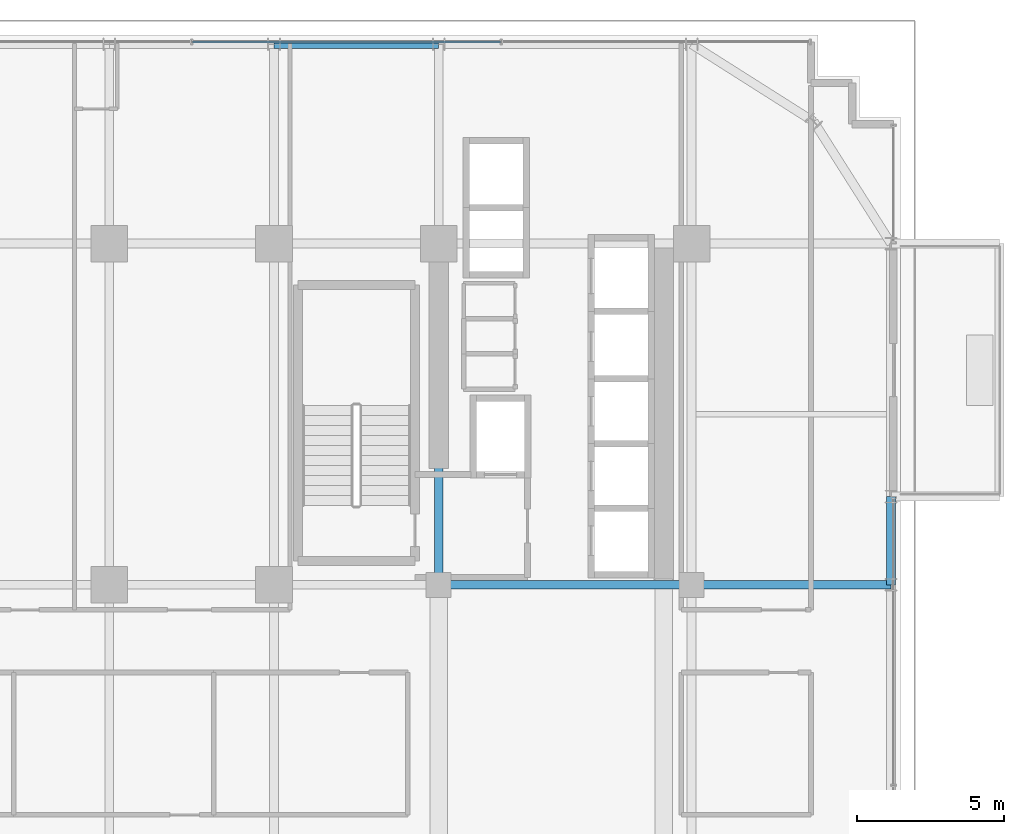
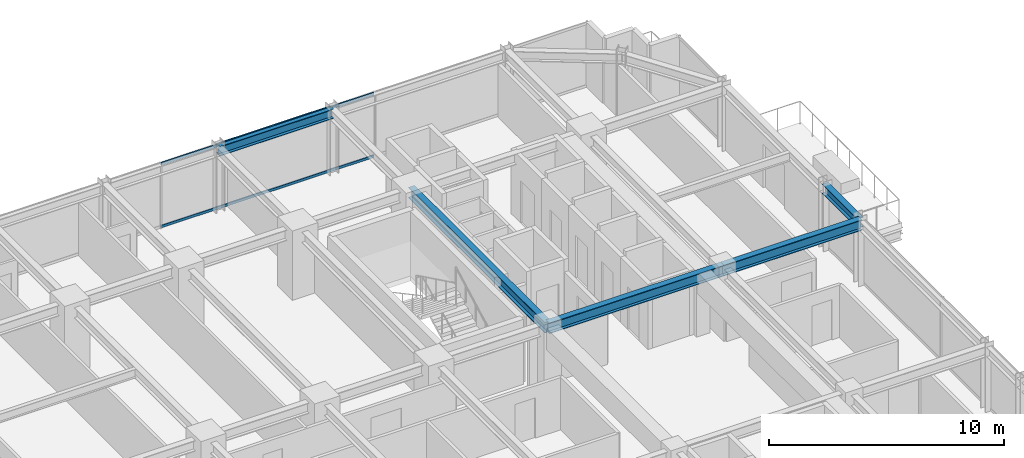
# One storey, part 21 of 34: 5 beams, 2 members, 1 element without a shape of its own.
"""IFC4 building model written with IfcOpenShell, lengths in metres."""

import ifcopenshell
import ifcopenshell.guid

model = None  # the IFC model being written
_history = None  # IfcOwnerHistory: only IFC2X3 demands one
_inside = {}  # id of a spatial element -> (the spatial element, [elements in it])
_under = {}  # id of a project, library or spatial element -> (it, [spatial elements below it])
_declared = {}  # id of a project -> (the project, [libraries it declares])
_typed = {}  # id of a type object -> (the type object, [elements of that type])
_made_of = {}  # id of a material, layer set ... -> (it, [elements and type objects made of it])


def new_model(schema):
    """Start an empty IFC model of exactly this schema.

    Asked for "IFC4X3", IfcOpenShell would pick the latest addendum, in which some entities
    have other attributes; the version numbers below select the first issue.
    IFC2X3 requires an IfcOwnerHistory on every rooted entity: one is made here for all.
    """
    global model, _history
    if schema == "IFC4X3":
        model = ifcopenshell.file(schema_version=(4, 3, 0, 0))
    else:
        model = ifcopenshell.file(schema=schema)
    _inside.clear()
    _under.clear()
    _declared.clear()
    _typed.clear()
    _made_of.clear()
    _history = None
    if model.schema == "IFC2X3":
        org = make("IfcOrganization", Name="unknown")
        user = make(
            "IfcPersonAndOrganization",
            ThePerson=make("IfcPerson", FamilyName="unknown"),
            TheOrganization=org,
        )
        app = make(
            "IfcApplication",
            ApplicationDeveloper=org,
            Version="unknown",
            ApplicationFullName="unknown",
            ApplicationIdentifier="unknown",
        )
        _history = make(
            "IfcOwnerHistory",
            OwningUser=user,
            OwningApplication=app,
            ChangeAction="ADDED",
            CreationDate=0,
        )
    return model


def make(cls, **values):
    """One entity of the class cls with the attributes given. An attribute that is None is left unset."""
    return model.create_entity(
        cls, **{name: value for name, value in values.items() if value is not None}
    )


def rooted(cls, **values):
    """An entity with a GlobalId (a new one), such as an element, a storey or a relation."""
    return make(cls, GlobalId=ifcopenshell.guid.new(), OwnerHistory=_history, **values)


def si_unit(unit_type, name, prefix=None):
    """IfcSIUnit, for example si_unit("LENGTHUNIT", "METRE", prefix="MILLI")."""
    return make("IfcSIUnit", UnitType=unit_type, Prefix=prefix, Name=name)


def assignment(units):
    """IfcUnitAssignment: the units of a project."""
    return None if units is None else make("IfcUnitAssignment", Units=units)


def point(xyz):
    """IfcCartesianPoint."""
    return None if xyz is None else make("IfcCartesianPoint", Coordinates=xyz)


def direction(xyz):
    """IfcDirection."""
    return None if xyz is None else make("IfcDirection", DirectionRatios=xyz)


def frame(location, z_axis=None, x_axis=None):
    """IfcAxis2Placement3D, a coordinate frame: its origin and axes. An axis left out is left unset."""
    return make(
        "IfcAxis2Placement3D",
        Location=point(location),
        Axis=direction(z_axis),
        RefDirection=direction(x_axis),
    )


def frame_2d(location, x_axis=None):
    """IfcAxis2Placement2D, a coordinate frame in the plane: its origin and x axis."""
    return make(
        "IfcAxis2Placement2D", Location=point(location), RefDirection=direction(x_axis)
    )


def origin():
    """The frame at (0, 0, 0) with its axes left unset."""
    return frame((0.0, 0.0, 0.0))


def origin_2d():
    """The frame at (0, 0) in the plane with its x axis left unset."""
    return frame_2d((0.0, 0.0))


def place(relative_to, where):
    """IfcLocalPlacement: puts the frame where relative to a parent placement (None: the world)."""
    return make(
        "IfcLocalPlacement", PlacementRelTo=relative_to, RelativePlacement=where
    )


def context(
    kind, dimensions, precision=None, world=None, true_north=None, identifier=None
):
    """IfcGeometricRepresentationContext, for example the 3D "Model" context."""
    return make(
        "IfcGeometricRepresentationContext",
        ContextIdentifier=identifier,
        ContextType=kind,
        CoordinateSpaceDimension=dimensions,
        Precision=precision,
        WorldCoordinateSystem=world,
        TrueNorth=true_north,
    )


def subcontext(parent, identifier, kind, view, scale=None):
    """IfcGeometricRepresentationSubContext, for example "Body" below "Model"."""
    return make(
        "IfcGeometricRepresentationSubContext",
        ContextIdentifier=identifier,
        ContextType=kind,
        ParentContext=parent,
        TargetScale=scale,
        TargetView=view,
    )


def project(units=None, contexts=None):
    """IfcProject with its units and contexts."""
    return rooted(
        "IfcProject",
        Name="project",
        RepresentationContexts=contexts,
        UnitsInContext=assignment(units),
    )


def spatial(cls, under=None, at=None, **own):
    """A site, building, storey or space (cls), placed at a placement, below another one or the project."""
    s = rooted(cls, ObjectPlacement=at, **own)
    if under is not None:
        _under.setdefault(under.id(), (under, []))[1].append(s)
    return s


def profile(cls, at=None, kind="AREA", **sizes):
    """A parametric profile (cls). Its sizes go by their IFC names, for example OverallWidth=200.0."""
    return make(cls, ProfileType=kind, Position=at, **sizes)


def hollow_rectangle(**sizes):
    """IfcRectangleHollowProfileDef."""
    return profile("IfcRectangleHollowProfileDef", **sizes)


def i_section(**sizes):
    """IfcIShapeProfileDef."""
    return profile("IfcIShapeProfileDef", **sizes)


def extrude(swept, where, along, depth):
    """IfcExtrudedAreaSolid: the profile swept, set in the frame where, extruded along a direction by depth."""
    return make(
        "IfcExtrudedAreaSolid",
        SweptArea=swept,
        Position=where,
        ExtrudedDirection=direction(along),
        Depth=depth,
    )


def shape(context_of_items, identifier, shape_type, items):
    """IfcShapeRepresentation: the items that make up one representation, for example the "Body"."""
    return make(
        "IfcShapeRepresentation",
        ContextOfItems=context_of_items,
        RepresentationIdentifier=identifier,
        RepresentationType=shape_type,
        Items=items,
    )


def source(mapping_origin, context_of_items, identifier, shape_type, items):
    """IfcRepresentationMap: a shape defined once, which mapped items show again and again."""
    return make(
        "IfcRepresentationMap",
        MappingOrigin=mapping_origin,
        MappedRepresentation=shape(context_of_items, identifier, shape_type, items),
    )


def transform(
    local_origin,
    x_axis=None,
    y_axis=None,
    z_axis=None,
    scale=None,
    scale2=None,
    scale3=None,
    uniform=True,
):
    """IfcCartesianTransformationOperator3D, or its non-uniform kind. x_axis, y_axis, z_axis: its Axis1, 2, 3."""
    if uniform:
        return make(
            "IfcCartesianTransformationOperator3D",
            Axis1=direction(x_axis),
            Axis2=direction(y_axis),
            LocalOrigin=point(local_origin),
            Scale=scale,
            Axis3=direction(z_axis),
        )
    return make(
        "IfcCartesianTransformationOperator3DnonUniform",
        Axis1=direction(x_axis),
        Axis2=direction(y_axis),
        LocalOrigin=point(local_origin),
        Scale=scale,
        Axis3=direction(z_axis),
        Scale2=scale2,
        Scale3=scale3,
    )


def mapped(mapping_source, mapping_target):
    """IfcMappedItem: shows the shape of a source again, moved by a transform."""
    return make(
        "IfcMappedItem", MappingSource=mapping_source, MappingTarget=mapping_target
    )


def material(Name=None, Category=None):
    """IfcMaterial."""
    return make("IfcMaterial", Name=Name, Category=Category)


def material_profile(
    of_material, cross_section, Name=None, Category=None, Priority=None
):
    """IfcMaterialProfile: a cross section and its material."""
    return make(
        "IfcMaterialProfile",
        Name=Name,
        Material=of_material,
        Profile=cross_section,
        Priority=Priority,
        Category=Category,
    )


def profile_set(profiles, Name=None, composite=None):
    """IfcMaterialProfileSet."""
    return make(
        "IfcMaterialProfileSet",
        Name=Name,
        MaterialProfiles=profiles,
        CompositeProfile=composite,
    )


def made_of(thing, what):
    """Note that an element or type object is made of a material, layer set ...; save() writes the relation."""
    if what is not None:
        _made_of.setdefault(what.id(), (what, []))[1].append(thing)
    return thing


def type_object(cls, material=None, **own):
    """A type object (cls), such as IfcWallType, which elements share."""
    return made_of(rooted(cls, **own), material)


def element(
    cls,
    number,
    at=None,
    inside=None,
    cuts=None,
    type_object=None,
    material=None,
    context=None,
    identifier="Body",
    shape_type=None,
    held_by="IfcProductDefinitionShape",
    body=None,
    shapes=None,
    **own,
):
    """One element of the class cls, such as IfcWall. Its Tag is "e" and its number.

    at: its placement. inside: the storey or other place that contains it. cuts: it is an
    opening in that element (IfcRelVoidsElement). A single representation is given by context,
    identifier, shape_type and body (its items); several are given by shapes. held_by: the class
    of the entity that holds the representations. save() writes the other relations.
    """
    e = rooted(cls, Tag="e%d" % number, ObjectPlacement=at, **own)
    if body is not None:
        shapes = [shape(context, identifier, shape_type, body)]
    if shapes is not None:
        e.Representation = make(held_by, Representations=shapes)
    if inside is not None:
        _inside.setdefault(inside.id(), (inside, []))[1].append(e)
    if cuts is not None:
        rooted(
            "IfcRelVoidsElement", RelatingBuildingElement=cuts, RelatedOpeningElement=e
        )
    if type_object is not None:
        _typed.setdefault(type_object.id(), (type_object, []))[1].append(e)
    return made_of(e, material)


def aggregate(whole, parts):
    """IfcRelAggregates: a whole, such as a stair, and the parts it consists of."""
    return rooted("IfcRelAggregates", RelatingObject=whole, RelatedObjects=parts)


def save(model, path):
    """Write the relations noted so far, then the file.

    IfcRelAggregates (storeys below a building ...), IfcRelContainedInSpatialStructure (elements
    in a storey), IfcRelDefinesByType, IfcRelAssociatesMaterial and IfcRelDeclares: one each for
    every whole, place, type object, material and project.
    """
    for whole, parts in _under.values():
        aggregate(whole, parts)
    for where, things in _inside.values():
        rooted(
            "IfcRelContainedInSpatialStructure",
            RelatedElements=things,
            RelatingStructure=where,
        )
    for kind, things in _typed.values():
        rooted("IfcRelDefinesByType", RelatedObjects=things, RelatingType=kind)
    for what, things in _made_of.values():
        rooted("IfcRelAssociatesMaterial", RelatedObjects=things, RelatingMaterial=what)
    for by, libraries in _declared.values():
        rooted("IfcRelDeclares", RelatingContext=by, RelatedDefinitions=libraries)
    model.write(path)


model = new_model("IFC4")

# Units and contexts
model_context = context("Model", 3, precision=1e-05, world=origin(), true_north=direction((0.0, 1.0)))
body_context = subcontext(model_context, "Body", "Model", "MODEL_VIEW")
ifc_project = project(units=[si_unit("LENGTHUNIT", "METRE"), si_unit("AREAUNIT", "SQUARE_METRE"), si_unit("VOLUMEUNIT", "CUBIC_METRE"), si_unit("PLANEANGLEUNIT", "RADIAN"), si_unit("MASSUNIT", "GRAM", prefix="KILO")], contexts=[model_context])

# Site, building, storey
site_placement = place(None, origin())
site = spatial("IfcSite", under=ifc_project, at=site_placement, CompositionType="ELEMENT")
building_placement = place(site_placement, origin())
building = spatial("IfcBuilding", under=site, at=building_placement, Name="Nahalor Promenade Grand Hotel", CompositionType="ELEMENT")
storey_placement = place(building_placement, frame((0.0, 0.0, 88.300048828125)))
storey = spatial("IfcBuildingStorey", under=building, at=storey_placement, Name="L21", CompositionType="ELEMENT", Elevation=88.300048828125)

# Beams
ifc_material_1 = material(Name="Steel S355JR", Category="steel")
ifc_material_profile_1 = material_profile(ifc_material_1, i_section(OverallWidth=0.3, OverallDepth=0.5, WebThickness=0.0145, FlangeThickness=0.028, at=origin_2d()), Name="HEB 500")
ifc_profile_set_1 = profile_set([ifc_material_profile_1], Name="Steel S355JR")
beam_type_1 = type_object("IfcBeamType", Name="Beam-Spandrel-HEB500", PredefinedType="SPANDREL", material=ifc_profile_set_1)
shared_shape_1 = source(origin(), body_context, "Body", "SweptSolid", [
    extrude(i_section(OverallWidth=0.3, OverallDepth=0.5, WebThickness=0.0145, FlangeThickness=0.028, at=origin_2d()), origin(), (0.0, 0.0, 1.0), 5.599853515625),
])
beam_1_placement = place(storey_placement, frame((2.800048828125, 23.780029296875, 3.1298828125), z_axis=(1.0, 0.0, 0.0), x_axis=(0.0, 1.0, 0.0)))
element("IfcBeam", 1, at=beam_1_placement, inside=storey, type_object=beam_type_1, Name="BM-L21-SP-N-3", PredefinedType="SPANDREL", context=body_context, shape_type="MappedRepresentation", body=[
    mapped(shared_shape_1, transform((0.0, 0.0, 0.0), scale=1.0)),
])
shared_shape_2 = source(origin(), body_context, "Body", "SweptSolid", [
    extrude(i_section(OverallWidth=0.3, OverallDepth=0.5, WebThickness=0.0145, FlangeThickness=0.028, at=origin_2d()), origin(), (0.0, 0.0, 1.0), 3.0),
])
beam_2_placement = place(storey_placement, frame((23.780029296875, 5.39990234375, 3.1298828125), z_axis=(0.0, 1.0, 0.0), x_axis=(-1.0, 0.0, 0.0)))
element("IfcBeam", 2, at=beam_2_placement, inside=storey, type_object=beam_type_1, Name="BM-L21-SP-E-3", PredefinedType="SPANDREL", context=body_context, shape_type="MappedRepresentation", body=[
    mapped(shared_shape_2, transform((0.0, 0.0, 0.0), scale=1.0)),
])
ifc_material_profile_2 = material_profile(ifc_material_1, i_section(OverallWidth=0.3, OverallDepth=0.55, WebThickness=0.015, FlangeThickness=0.029, at=origin_2d()), Name="HEB 550")
ifc_profile_set_2 = profile_set([ifc_material_profile_2], Name="Steel S355JR")
beam_type_2 = type_object("IfcBeamType", Name="Beam-Girder-HEB550", PredefinedType="BEAM", material=ifc_profile_set_2)
shared_shape_3 = source(origin(), body_context, "Body", "SweptSolid", [
    extrude(i_section(OverallWidth=0.3, OverallDepth=0.55, WebThickness=0.015, FlangeThickness=0.029, at=origin_2d()), origin(), (0.0, 0.0, 1.0), 6.780029296875),
])
beam_3_placement = place(storey_placement, frame((17.0, 5.39990234375, 3.10498046875), z_axis=(1.0, 0.0, 0.0), x_axis=(0.0, 1.0, 0.0)))
element("IfcBeam", 3, at=beam_3_placement, inside=storey, type_object=beam_type_2, Name="BM-L21-GX-2-6", PredefinedType="BEAM", context=body_context, shape_type="MappedRepresentation", body=[
    mapped(shared_shape_3, transform((0.0, 0.0, 0.0), scale=1.0)),
])
shared_shape_4 = source(origin(), body_context, "Body", "SweptSolid", [
    extrude(i_section(OverallWidth=0.3, OverallDepth=0.55, WebThickness=0.015, FlangeThickness=0.029, at=origin_2d()), origin(), (0.0, 0.0, 1.0), 8.60009765625),
])
beam_4_placement = place(storey_placement, frame((8.39990234375, 5.39990234375, 3.10498046875), z_axis=(1.0, 0.0, 0.0), x_axis=(0.0, 1.0, 0.0)))
element("IfcBeam", 4, at=beam_4_placement, inside=storey, type_object=beam_type_2, Name="BM-L21-GX-2-5", PredefinedType="BEAM", context=body_context, shape_type="MappedRepresentation", body=[
    mapped(shared_shape_4, transform((0.0, 0.0, 0.0), scale=1.0)),
])
shared_shape_5 = source(origin(), body_context, "Body", "SweptSolid", [
    extrude(i_section(OverallWidth=0.3, OverallDepth=0.55, WebThickness=0.015, FlangeThickness=0.029, at=origin_2d()), origin(), (0.0, 0.0, 1.0), 11.60009765625),
])
beam_5_placement = place(storey_placement, frame((8.39990234375, 5.39990234375, 3.10498046875), z_axis=(0.0, 1.0, 0.0), x_axis=(-1.0, 0.0, 0.0)))
element("IfcBeam", 5, at=beam_5_placement, inside=storey, type_object=beam_type_2, Name="BM-L21-GY-4-3", PredefinedType="BEAM", context=body_context, shape_type="MappedRepresentation", body=[
    mapped(shared_shape_5, transform((0.0, 0.0, 0.0), scale=1.0)),
])

# Curtain wall, members
ifc_material_2 = material(Name="Anodised Bronze Aluminium EN AW-6063 T6", Category="aluminium")
curtain_wall_type = type_object("IfcCurtainWallType", Name="CW2 Typical Hotel Flush Bronze Unitised Curtain Wall", PredefinedType="USERDEFINED", material=ifc_material_2)
curtain_wall_placement = place(storey_placement, origin())
curtain_wall = element("IfcCurtainWall", 6, at=curtain_wall_placement, inside=storey, type_object=curtain_wall_type, Name="L21 Curtain Wall CW-L21-N-1", ObjectType="UNITISED_CURTAIN_WALL", PredefinedType="USERDEFINED")
ifc_material_profile_3 = material_profile(ifc_material_2, hollow_rectangle(XDim=0.065, YDim=0.13, WallThickness=0.004, at=origin_2d()), Name="CWT 65x130x4")
ifc_profile_set_3 = profile_set([ifc_material_profile_3], Name="Anodised Bronze Aluminium EN AW-6063 T6")
member_type = type_object("IfcMemberType", Name="CWT2 Typical Bronze Transom 65x130", PredefinedType="USERDEFINED", material=ifc_profile_set_3)
shared_shape_6 = source(origin(), body_context, "Body", "SweptSolid", [
    extrude(hollow_rectangle(XDim=0.065, YDim=0.13, WallThickness=0.004, at=origin_2d()), origin(), (0.0, 0.0, 1.0), 10.465087890625),
])
member_1_placement = place(storey_placement, frame((0.032470703125, 23.860107421875, 0.06494140625), z_axis=(1.0, 0.0, 0.0), x_axis=(0.0, 1.0, 0.0)))
member_1 = element("IfcMember", 7, at=member_1_placement, type_object=member_type, Name="CW-L21-N-1 Transom 2-0", ObjectType="TRANSOM", PredefinedType="USERDEFINED", context=body_context, shape_type="MappedRepresentation", body=[
    mapped(shared_shape_6, transform((0.0, 0.0, 0.0), scale=1.0)),
])
member_2_placement = place(storey_placement, frame((0.032470703125, 23.860107421875, 3.31494140625), z_axis=(1.0, 0.0, 0.0), x_axis=(0.0, 1.0, 0.0)))
member_2 = element("IfcMember", 8, at=member_2_placement, type_object=member_type, Name="CW-L21-N-1 Transom 2-1", ObjectType="TRANSOM", PredefinedType="USERDEFINED", context=body_context, shape_type="MappedRepresentation", body=[
    mapped(shared_shape_6, transform((0.0, 0.0, 0.0), scale=1.0)),
])
aggregate(curtain_wall, [member_1, member_2])

save(model, "model.ifc")
